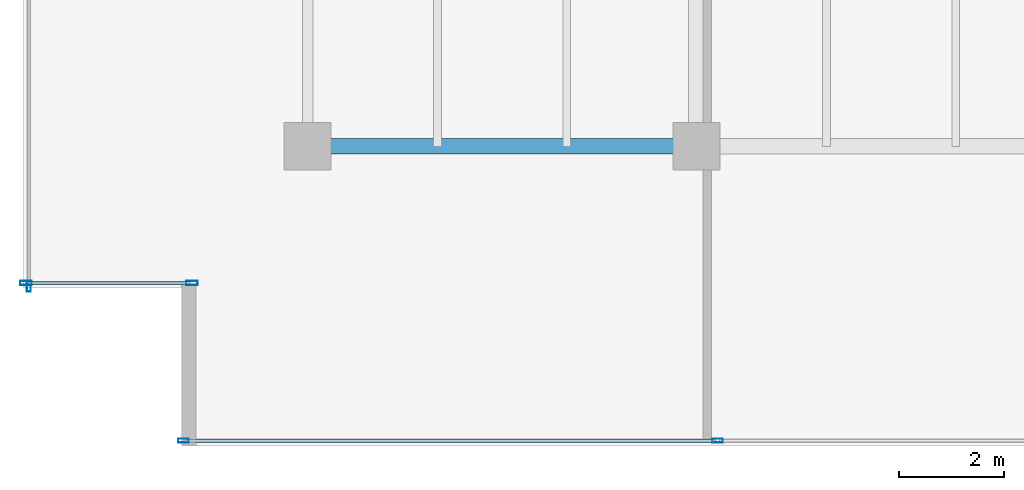
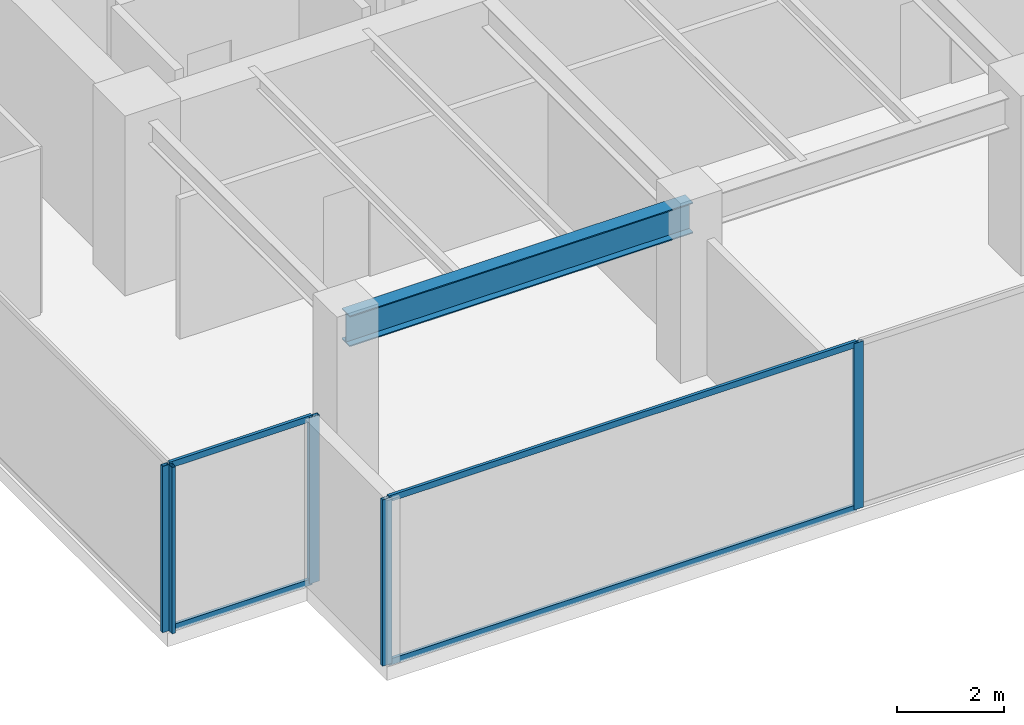
# One storey, part 2 of 31: 9 members, 1 beam, 3 elements without a shape of their own.
"""IFC4 building model written with IfcOpenShell, lengths in metres."""

from ifc_helpers import new_model, si_unit, direction, frame, origin, origin_2d, place, context, subcontext, project, spatial, hollow_rectangle, i_section, extrude, source, transform, mapped, material, layer, layer_set, material_profile, profile_set, type_object, type_shapes, element, aggregate, save


model = new_model("IFC4")

# Units and contexts
model_context = context("Model", 3, precision=1e-05, world=origin(), true_north=direction((0.0, 1.0)))
body_context = subcontext(model_context, "Body", "Model", "MODEL_VIEW")
ifc_project = project(units=[si_unit("LENGTHUNIT", "METRE"), si_unit("AREAUNIT", "SQUARE_METRE"), si_unit("VOLUMEUNIT", "CUBIC_METRE"), si_unit("PLANEANGLEUNIT", "RADIAN"), si_unit("MASSUNIT", "GRAM", prefix="KILO")], contexts=[model_context])

# Site, building, storey
site_placement = place(None, origin())
site = spatial("IfcSite", under=ifc_project, at=site_placement, CompositionType="ELEMENT")
building_placement = place(site_placement, origin())
building = spatial("IfcBuilding", under=site, at=building_placement, Name="Haelvirn Gate Laboratories", CompositionType="ELEMENT")
storey_placement = place(building_placement, frame((0.0, 0.0, 150.199951171875)))
storey = spatial("IfcBuildingStorey", under=building, at=storey_placement, Name="L36", CompositionType="ELEMENT", Elevation=150.199951171875)

# Beam
ifc_material_1 = material(Name="Steel SM355", Category="steel")
ifc_material_profile_1 = material_profile(ifc_material_1, i_section(OverallWidth=0.300048828125, OverallDepth=0.699951171875, WebThickness=0.012939453125, FlangeThickness=0.02392578125, at=origin_2d()), Name="H-700x300x13x24")
ifc_profile_set_1 = profile_set([ifc_material_profile_1], Name="Steel SM355")
beam_type = type_object("IfcBeamType", Name="BM-G-700", PredefinedType="BEAM", material=ifc_profile_set_1)
shared_shape_1 = source(origin(), body_context, "Body", "SweptSolid", [
    extrude(i_section(OverallWidth=0.300048828125, OverallDepth=0.699951171875, WebThickness=0.012939453125, FlangeThickness=0.02392578125, at=origin_2d()), origin(), (0.0, 0.0, 1.0), 7.400146484375),
])
type_shapes(beam_type, [shared_shape_1])
beam_placement = place(storey_placement, frame((7.39990234375, 7.0, 3.43994140625), z_axis=(1.0, 0.0, 0.0), x_axis=(0.0, 1.0, 0.0)))
element("IfcBeam", 1, at=beam_placement, inside=storey, type_object=beam_type, Name="L36 Primary Girder Y7.0 (7.4-14.8)", PredefinedType="BEAM", context=body_context, shape_type="MappedRepresentation", body=[
    mapped(shared_shape_1, transform((0.0, 0.0, 0.0), scale=1.0)),
])

# Curtain wall, members
ifc_material_2 = material(Name="Anodised bronze unitised aluminium & triple low-E glass", Category="aluminium")
ifc_layer_1 = layer(ifc_material_2, 0.179931640625, Name="CW-SYS-3")
ifc_layer_set_1 = layer_set([ifc_layer_1], Name="Anodised bronze unitised aluminium & triple low-E glass")
curtain_wall_type_1 = type_object("IfcCurtainWallType", Name="CW-SYS-3", PredefinedType="NOTDEFINED", material=ifc_layer_set_1)
curtain_wall_1_placement = place(storey_placement, origin())
curtain_wall_1 = element("IfcCurtainWall", 2, at=curtain_wall_1_placement, inside=storey, type_object=curtain_wall_type_1, Name="L36 Unitised Curtain Wall CW-L36-P0-E00-1", PredefinedType="NOTDEFINED")
ifc_material_3 = material(Name="Extruded aluminium 6063-T6 (anodised bronze)", Category="aluminium")
ifc_material_profile_2 = material_profile(ifc_material_3, hollow_rectangle(XDim=0.06494140625, YDim=0.139892578125, WallThickness=0.00390625, at=origin_2d()), Name="CWT-140x65x4")
ifc_profile_set_2 = profile_set([ifc_material_profile_2], Name="Extruded aluminium 6063-T6 (anodised bronze)")
member_type_1 = type_object("IfcMemberType", Name="CWT-T140", PredefinedType="USERDEFINED", material=ifc_profile_set_2)
shared_shape_2 = source(origin(), body_context, "Body", "SweptSolid", [
    extrude(hollow_rectangle(XDim=0.06494140625, YDim=0.139892578125, WallThickness=0.00390625, at=origin_2d()), origin(), (0.0, 0.0, 1.0), 10.087646484375),
])
member_1_placement = place(storey_placement, frame((5.074951171875, 1.39990234375, 0.032470703125), z_axis=(1.0, 0.0, 0.0), x_axis=(0.0, 1.0, 0.0)))
member_1 = element("IfcMember", 3, at=member_1_placement, type_object=member_type_1, Name="CW3 transom 1.1", ObjectType="TRANSOM", PredefinedType="USERDEFINED", context=body_context, shape_type="MappedRepresentation", body=[
    mapped(shared_shape_2, transform((0.0, 0.0, 0.0), scale=1.0)),
])
member_2_placement = place(storey_placement, frame((5.074951171875, 1.39990234375, 3.757568359375), z_axis=(1.0, 0.0, 0.0), x_axis=(0.0, 1.0, 0.0)))
member_2 = element("IfcMember", 4, at=member_2_placement, type_object=member_type_1, Name="CW3 transom 1.2", ObjectType="TRANSOM", PredefinedType="USERDEFINED", context=body_context, shape_type="MappedRepresentation", body=[
    mapped(shared_shape_2, transform((0.0, 0.0, 0.0), scale=1.0)),
])

ifc_layer_2 = layer(ifc_material_2, 0.181884765625, Name="CW-SYS-5")
ifc_layer_set_2 = layer_set([ifc_layer_2], Name="Anodised bronze unitised aluminium & triple low-E glass")
curtain_wall_type_2 = type_object("IfcCurtainWallType", Name="CW-SYS-5", PredefinedType="NOTDEFINED", material=ifc_layer_set_2)
curtain_wall_2_placement = place(storey_placement, origin())
curtain_wall_2 = element("IfcCurtainWall", 5, at=curtain_wall_2_placement, inside=storey, type_object=curtain_wall_type_2, Name="L36 Unitised Curtain Wall CW-L36-P0-E18-1", PredefinedType="NOTDEFINED")
shared_shape_3 = source(origin(), body_context, "Body", "SweptSolid", [
    extrude(hollow_rectangle(XDim=0.06494140625, YDim=0.139892578125, WallThickness=0.00390625, at=origin_2d()), origin(), (0.0, 0.0, 1.0), 3.079833984375),
])
type_shapes(member_type_1, [shared_shape_2, shared_shape_3])
member_3_placement = place(storey_placement, frame((2.080078125, 4.39990234375, 0.032470703125), z_axis=(1.0, 0.0, 0.0), x_axis=(0.0, 1.0, 0.0)))
member_3 = element("IfcMember", 6, at=member_3_placement, type_object=member_type_1, Name="CW5 transom 1.1", ObjectType="TRANSOM", PredefinedType="USERDEFINED", context=body_context, shape_type="MappedRepresentation", body=[
    mapped(shared_shape_3, transform((0.0, 0.0, 0.0), scale=1.0)),
])
member_4_placement = place(storey_placement, frame((2.080078125, 4.39990234375, 3.757568359375), z_axis=(1.0, 0.0, 0.0), x_axis=(0.0, 1.0, 0.0)))
member_4 = element("IfcMember", 7, at=member_4_placement, type_object=member_type_1, Name="CW5 transom 1.2", ObjectType="TRANSOM", PredefinedType="USERDEFINED", context=body_context, shape_type="MappedRepresentation", body=[
    mapped(shared_shape_3, transform((0.0, 0.0, 0.0), scale=1.0)),
])

# Member
ifc_material_profile_3 = material_profile(ifc_material_3, hollow_rectangle(XDim=0.074951171875, YDim=0.199951171875, WallThickness=0.0048828125, at=origin_2d()), Name="CWM-200x75x5")
ifc_profile_set_3 = profile_set([ifc_material_profile_3], Name="Extruded aluminium 6063-T6 (anodised bronze)")
member_type_2 = type_object("IfcMemberType", Name="CWM-T200", PredefinedType="MULLION", material=ifc_profile_set_3)
shared_shape_4 = source(origin(), body_context, "Body", "SweptSolid", [
    extrude(hollow_rectangle(XDim=0.074951171875, YDim=0.199951171875, WallThickness=0.0048828125, at=origin_2d()), origin(), (0.0, 0.0, 1.0), 3.7900390625),
])
type_shapes(member_type_2, [shared_shape_4])
member_5_placement = place(storey_placement, frame((5.03759765625, 1.39990234375, 0.0), z_axis=(0.0, 0.0, 1.0), x_axis=(0.0, 1.0, 0.0)))
member_5 = element("IfcMember", 8, at=member_5_placement, type_object=member_type_2, Name="CW3 mullion 1", PredefinedType="MULLION", context=body_context, shape_type="MappedRepresentation", body=[
    mapped(shared_shape_4, transform((0.0, 0.0, 0.0), scale=1.0)),
])

member_6_placement = place(storey_placement, frame((15.199951171875, 1.39990234375, 0.0), z_axis=(0.0, 0.0, 1.0), x_axis=(0.0, 1.0, 0.0)))
member_6 = element("IfcMember", 9, at=member_6_placement, type_object=member_type_2, Name="CW3 mullion 2", PredefinedType="MULLION", context=body_context, shape_type="MappedRepresentation", body=[
    mapped(shared_shape_4, transform((0.0, 0.0, 0.0), scale=1.0)),
])

aggregate(curtain_wall_1, [member_5, member_6, member_1, member_2])

# Curtain wall, member
curtain_wall_3_placement = place(storey_placement, origin())
curtain_wall_3 = element("IfcCurtainWall", 10, at=curtain_wall_3_placement, inside=storey, type_object=curtain_wall_type_1, Name="L36 Unitised Curtain Wall CW-L36-P0-E17", PredefinedType="NOTDEFINED")
member_7_placement = place(storey_placement, frame((2.10009765625, 4.33740234375, 0.0), z_axis=(0.0, 0.0, 1.0), x_axis=(1.0, 0.0, 0.0)))
member_7 = element("IfcMember", 11, at=member_7_placement, type_object=member_type_2, Name="CW3 mullion 4", PredefinedType="MULLION", context=body_context, shape_type="MappedRepresentation", body=[
    mapped(shared_shape_4, transform((0.0, 0.0, 0.0), scale=1.0)),
])
aggregate(curtain_wall_3, [member_7])

# Member
ifc_material_profile_4 = material_profile(ifc_material_3, hollow_rectangle(XDim=0.080078125, YDim=0.219970703125, WallThickness=0.006103515625, at=origin_2d()), Name="CWM-220x80x6")
ifc_profile_set_4 = profile_set([ifc_material_profile_4], Name="Extruded aluminium 6063-T6 (anodised bronze)")
member_type_3 = type_object("IfcMemberType", Name="CWM-T220", PredefinedType="MULLION", material=ifc_profile_set_4)
shared_shape_5 = source(origin(), body_context, "Body", "SweptSolid", [
    extrude(hollow_rectangle(XDim=0.080078125, YDim=0.219970703125, WallThickness=0.006103515625, at=origin_2d()), origin(), (0.0, 0.0, 1.0), 3.7900390625),
])
type_shapes(member_type_3, [shared_shape_5])
member_8_placement = place(storey_placement, frame((2.0400390625, 4.39990234375, 0.0), z_axis=(0.0, 0.0, 1.0), x_axis=(0.0, 1.0, 0.0)))
member_8 = element("IfcMember", 12, at=member_8_placement, type_object=member_type_3, Name="CW5 mullion 1", PredefinedType="MULLION", context=body_context, shape_type="MappedRepresentation", body=[
    mapped(shared_shape_5, transform((0.0, 0.0, 0.0), scale=1.0)),
])

member_9_placement = place(storey_placement, frame((5.199951171875, 4.39990234375, 0.0), z_axis=(0.0, 0.0, 1.0), x_axis=(0.0, 1.0, 0.0)))
member_9 = element("IfcMember", 13, at=member_9_placement, type_object=member_type_3, Name="CW5 mullion 2", PredefinedType="MULLION", context=body_context, shape_type="MappedRepresentation", body=[
    mapped(shared_shape_5, transform((0.0, 0.0, 0.0), scale=1.0)),
])

aggregate(curtain_wall_2, [member_8, member_9, member_3, member_4])

save(model, "model.ifc")
